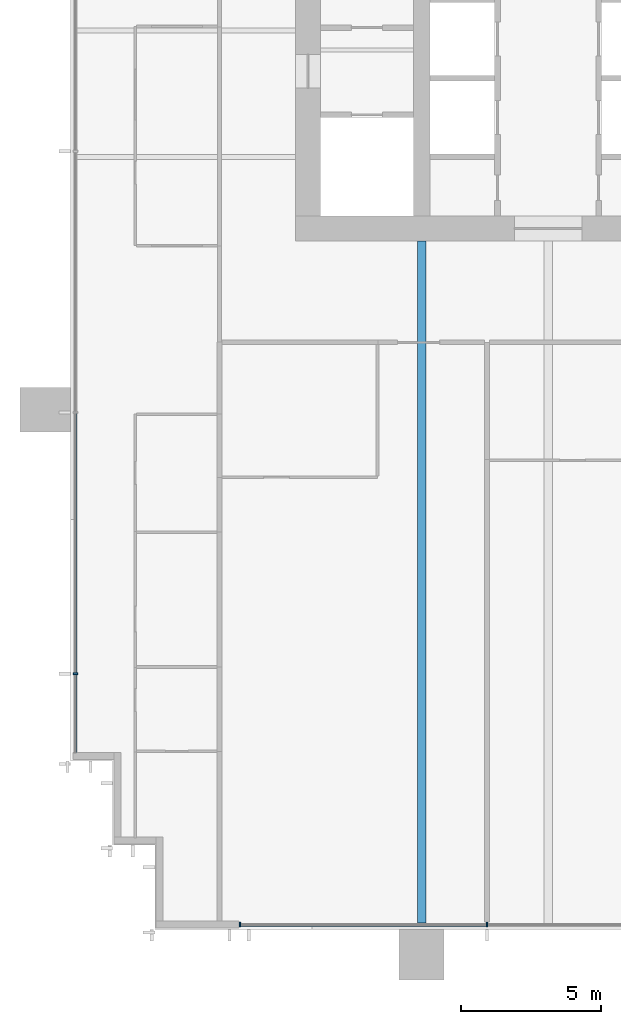
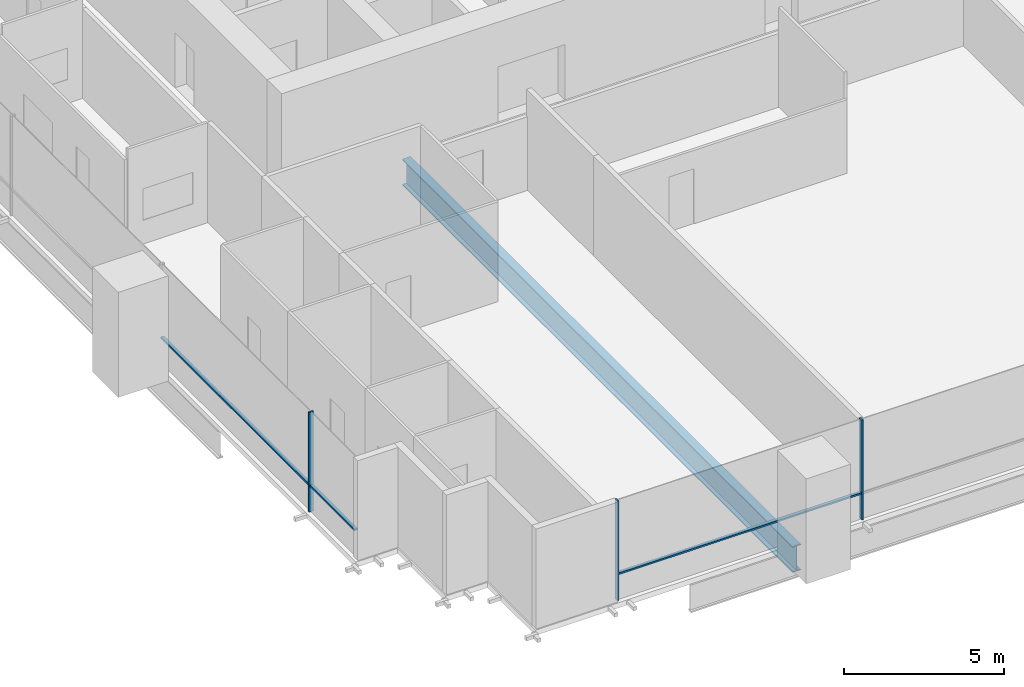
# One storey, part 2 of 17: 6 members, 1 beam, 2 elements without a shape of their own.
"""IFC4 building model written with IfcOpenShell, lengths in metres."""

from ifc_helpers import new_model, si_unit, direction, frame, origin, origin_2d, place, context, subcontext, project, spatial, rectangle, i_section, extrude, material, material_profile, profile_set, type_object, element, aggregate, save


model = new_model("IFC4")

# Units and contexts
model_context = context("Model", 3, precision=1e-05, world=origin(), true_north=direction((0.0, 1.0)))
body_context = subcontext(model_context, "Body", "Model", "MODEL_VIEW")
ifc_project = project(units=[si_unit("LENGTHUNIT", "METRE"), si_unit("AREAUNIT", "SQUARE_METRE"), si_unit("VOLUMEUNIT", "CUBIC_METRE"), si_unit("PLANEANGLEUNIT", "RADIAN"), si_unit("MASSUNIT", "GRAM", prefix="KILO")], contexts=[model_context])

# Site, building, storey
site_placement = place(None, origin())
site = spatial("IfcSite", under=ifc_project, at=site_placement, CompositionType="ELEMENT")
building_placement = place(site_placement, origin())
building = spatial("IfcBuilding", under=site, at=building_placement, Name="Rattan Terrace Tower", CompositionType="ELEMENT")
storey_placement = place(building_placement, frame((0.0, 0.0, 95.699951171875)))
storey = spatial("IfcBuildingStorey", under=building, at=storey_placement, Name="L21", CompositionType="ELEMENT", Elevation=95.699951171875)

# Curtain wall, member
ifc_material_1 = material(Name="Aluminium and glass", Category="aluminium")
curtain_wall_type = type_object("IfcCurtainWallType", Name="Facade Unitised Curtain Wall", PredefinedType="NOTDEFINED", material=ifc_material_1)
curtain_wall_1_placement = place(storey_placement, origin())
curtain_wall_1 = element("IfcCurtainWall", 1, at=curtain_wall_1_placement, inside=storey, type_object=curtain_wall_type, Name="Curtain wall L21-3", PredefinedType="NOTDEFINED")
ifc_material_2 = material(Name="Aluminium", Category="aluminium")
ifc_material_profile_1 = material_profile(ifc_material_2, rectangle(XDim=0.06005859375, YDim=0.159912109375, at=origin_2d()), Name="Aluminium 60x160")
ifc_profile_set_1 = profile_set([ifc_material_profile_1], Name="Aluminium")
member_type_1 = type_object("IfcMemberType", Name="Facade CW Mullion 60x160", PredefinedType="MULLION", material=ifc_profile_set_1)
member_1_placement = place(storey_placement, frame((-25.830078125, -22.89990234375, 0.0), z_axis=(0.0, 0.0, 1.0), x_axis=(0.0, -1.0, 0.0)))
member_1 = element("IfcMember", 2, at=member_1_placement, type_object=member_type_1, Name="Mullion cwl-L21-003.4", PredefinedType="MULLION", context=body_context, shape_type="SweptSolid", body=[
    extrude(rectangle(XDim=0.06005859375, YDim=0.159912109375, at=origin_2d()), origin(), (0.0, 0.0, 1.0), 3.800048828125),
])

# Curtain wall, members
curtain_wall_2_placement = place(storey_placement, origin())
curtain_wall_2 = element("IfcCurtainWall", 3, at=curtain_wall_2_placement, inside=storey, type_object=curtain_wall_type, Name="Curtain wall L21-4", PredefinedType="NOTDEFINED")
member_2_placement = place(storey_placement, frame((-19.969970703125, -31.830078125, 0.0), z_axis=(0.0, 0.0, 1.0), x_axis=(1.0, 0.0, 0.0)))
member_2 = element("IfcMember", 4, at=member_2_placement, type_object=member_type_1, Name="Mullion cwl-L21-004.1", PredefinedType="MULLION", context=body_context, shape_type="SweptSolid", body=[
    extrude(rectangle(XDim=0.06005859375, YDim=0.159912109375, at=origin_2d()), origin(), (0.0, 0.0, 1.0), 3.800048828125),
])
member_3_placement = place(storey_placement, frame((-11.177001953125, -31.830078125, 0.0), z_axis=(0.0, 0.0, 1.0), x_axis=(1.0, 0.0, 0.0)))
member_3 = element("IfcMember", 5, at=member_3_placement, type_object=member_type_1, Name="Mullion cwl-L21-004.2", PredefinedType="MULLION", context=body_context, shape_type="SweptSolid", body=[
    extrude(rectangle(XDim=0.06005859375, YDim=0.159912109375, at=origin_2d()), origin(), (0.0, 0.0, 1.0), 3.800048828125),
])

# Member
ifc_material_3 = material(Name="Aluminium", Category="aluminium")
ifc_material_profile_2 = material_profile(ifc_material_3, rectangle(XDim=0.1201171875, YDim=0.06005859375, at=origin_2d()), Name="Aluminium 120x60")
ifc_profile_set_2 = profile_set([ifc_material_profile_2], Name="Aluminium")
member_type_2 = type_object("IfcMemberType", Name="Facade CW Transom 120x60", PredefinedType="USERDEFINED", material=ifc_profile_set_2)
member_4_placement = place(storey_placement, frame((-25.830078125, -13.6298828125, 1.0), z_axis=(0.0, -1.0, 0.0), x_axis=(1.0, 0.0, 0.0)))
member_4 = element("IfcMember", 6, at=member_4_placement, type_object=member_type_2, Name="Transom cwl-L21-003.3", ObjectType="TRANSOM", PredefinedType="USERDEFINED", context=body_context, shape_type="SweptSolid", body=[
    extrude(rectangle(XDim=0.1201171875, YDim=0.06005859375, at=origin_2d()), origin(), (0.0, 0.0, 1.0), 9.240234375),
])

member_5_placement = place(storey_placement, frame((-25.830078125, -22.929931640625, 1.0), z_axis=(0.0, -1.0, 0.0), x_axis=(1.0, 0.0, 0.0)))
member_5 = element("IfcMember", 7, at=member_5_placement, type_object=member_type_2, Name="Transom cwl-L21-003.4", ObjectType="TRANSOM", PredefinedType="USERDEFINED", context=body_context, shape_type="SweptSolid", body=[
    extrude(rectangle(XDim=0.1201171875, YDim=0.06005859375, at=origin_2d()), origin(), (0.0, 0.0, 1.0), 2.775146484375),
])

aggregate(curtain_wall_1, [member_1, member_4, member_5])

member_6_placement = place(storey_placement, frame((-19.93994140625, -31.830078125, 1.0), z_axis=(1.0, 0.0, 0.0), x_axis=(0.0, 1.0, 0.0)))
member_6 = element("IfcMember", 8, at=member_6_placement, type_object=member_type_2, Name="Transom cwl-L21-004.1", ObjectType="TRANSOM", PredefinedType="USERDEFINED", context=body_context, shape_type="SweptSolid", body=[
    extrude(rectangle(XDim=0.1201171875, YDim=0.06005859375, at=origin_2d()), origin(), (0.0, 0.0, 1.0), 8.73291015625),
])

aggregate(curtain_wall_2, [member_2, member_3, member_6])

# Beam
ifc_material_4 = material(Name="Steel S460", Category="steel")
ifc_material_profile_3 = material_profile(ifc_material_4, i_section(OverallWidth=0.300048828125, OverallDepth=1.0, WebThickness=0.013916015625, FlangeThickness=0.0400390625, at=origin_2d()), Name="PG 1000x300-14-40")
ifc_profile_set_3 = profile_set([ifc_material_profile_3], Name="Steel S460")
beam_type = type_object("IfcBeamType", Name="Frame floor beam PG 1000x300-14-40", PredefinedType="JOIST", material=ifc_profile_set_3)
beam_placement = place(storey_placement, frame((-13.5, -31.820068359375, -0.699951171875), z_axis=(0.0, 1.0, 0.0), x_axis=(-1.0, 0.0, 0.0)))
element("IfcBeam", 9, at=beam_placement, inside=storey, type_object=beam_type, Name="bm-L21-003", PredefinedType="JOIST", context=body_context, shape_type="SweptSolid", body=[
    extrude(i_section(OverallWidth=0.300048828125, OverallDepth=1.0, WebThickness=0.013916015625, FlangeThickness=0.0400390625, at=origin_2d()), origin(), (0.0, 0.0, 1.0), 24.320068359375),
])

save(model, "model.ifc")
